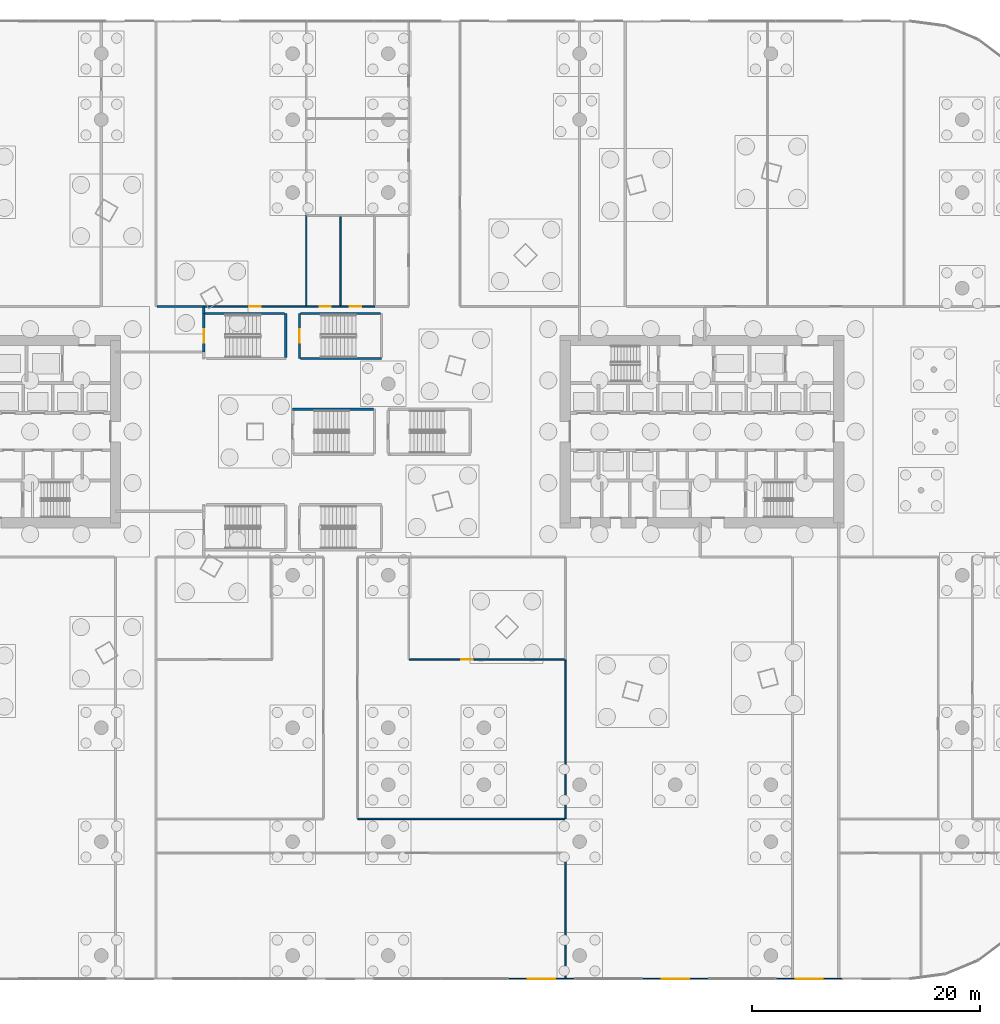
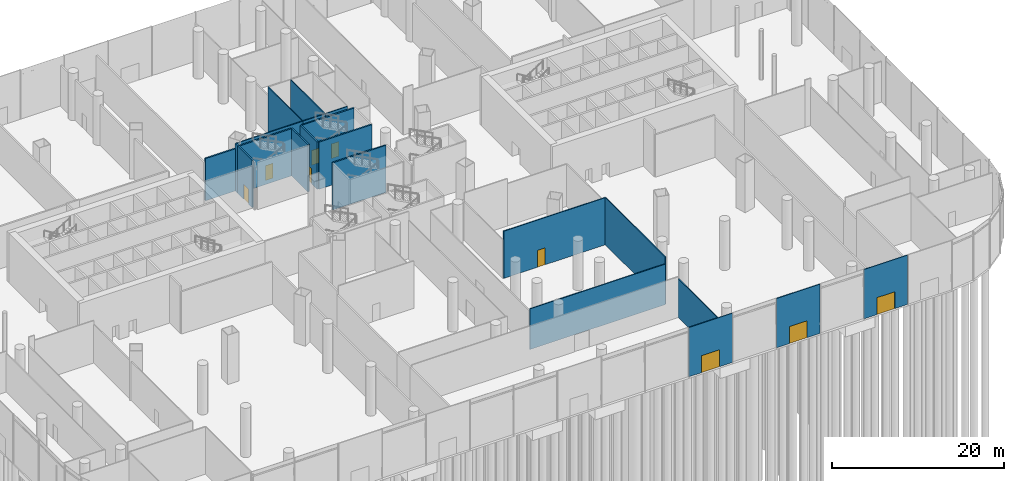
# One storey, part 29 of 41: 21 walls, 9 doors, 9 openings.
"""IFC4 building model written with IfcOpenShell, lengths in metres."""

from ifc_helpers import new_model, si_unit, direction, frame, frame_2d, origin, place, context, subcontext, project, spatial, rectangle, extrude, material, layer, layer_set, type_object, element, fill, save


model = new_model("IFC4")

# Units and contexts
model_context = context("Model", 3, precision=1e-05, world=origin(), true_north=direction((0.0, 1.0)))
body_context = subcontext(model_context, "Body", "Model", "MODEL_VIEW")
ifc_project = project(units=[si_unit("LENGTHUNIT", "METRE"), si_unit("AREAUNIT", "SQUARE_METRE"), si_unit("VOLUMEUNIT", "CUBIC_METRE"), si_unit("PLANEANGLEUNIT", "RADIAN"), si_unit("MASSUNIT", "GRAM", prefix="KILO")], contexts=[model_context])

# Site, building, storey
site_placement = place(None, origin())
site = spatial("IfcSite", under=ifc_project, at=site_placement, CompositionType="ELEMENT")
building_placement = place(site_placement, origin())
building = spatial("IfcBuilding", under=site, at=building_placement, Name="Rimbun Link Towers", CompositionType="ELEMENT")
storey_placement = place(building_placement, origin())
storey = spatial("IfcBuildingStorey", under=building, at=storey_placement, Name="L00", CompositionType="ELEMENT", Elevation=0.0)

# Wall, opening, door
ifc_material_1 = material(Name="Aluminium framed insulated infill panel", Category="aluminium")
ifc_layer_1 = layer(ifc_material_1, 0.10009765625)
ifc_layer_set_1 = layer_set([ifc_layer_1], Name="ED framed infill wall 100")
wall_type_1 = type_object("IfcWallType", Name="ED framed infill wall 100", PredefinedType="STANDARD", material=ifc_layer_set_1)
wall_1_placement = place(storey_placement, frame((20.568115234375, -48.050048828125, 0.0), z_axis=(0.0, 0.0, 1.0), x_axis=(-1.0, 0.0, 0.0)))
wall_1 = element("IfcWall", 1, at=wall_1_placement, inside=storey, type_object=wall_type_1, Name="Framed door bay wall", PredefinedType="STANDARD", context=body_context, shape_type="SweptSolid", body=[
    extrude(rectangle(XDim=5.84228515625, YDim=0.10009765625, at=frame_2d((2.921142578125, 0.0))), origin(), (0.0, 0.0, 1.0), 7.0),
])
opening_1_placement = place(wall_1_placement, frame((1.72119140625, 0.0, 0.0)))
opening_1 = element("IfcOpeningElement", 2, at=opening_1_placement, cuts=wall_1, Name="Opening ED19", PredefinedType="OPENING", context=body_context, shape_type="SweptSolid", body=[
    extrude(rectangle(XDim=2.39990234375, YDim=2.39990234375, at=frame_2d((1.199951171875, 1.199951171875))), frame((0.0, 0.06005859375, 0.0), z_axis=(0.0, -1.0, 0.0), x_axis=(1.0, 0.0, 0.0)), (0.0, 0.0, 1.0), 0.1201171875),
])
ifc_material_2 = material(Name="Aluminium framed glazed door, low-iron glass", Category="aluminium")
door_type_1 = type_object("IfcDoorType", Name="ED entrance door double leaf 2400X2400", OperationType="DOUBLE_DOOR_SINGLE_SWING", PredefinedType="DOOR", material=ifc_material_2)
door_1_placement = place(opening_1_placement, origin())
door_1 = element("IfcDoor", 3, at=door_1_placement, inside=storey, type_object=door_type_1, Name="Entrance door", OperationType="SINGLE_SWING_LEFT", OverallHeight=2.39990234375, OverallWidth=2.39990234375, PredefinedType="DOOR", context=body_context, shape_type="SweptSolid", body=[
    extrude(rectangle(XDim=2.39990234375, YDim=2.39990234375, at=frame_2d((1.199951171875, 1.199951171875))), frame((0.0, 0.02490234375, 0.0), z_axis=(0.0, -1.0, 0.0), x_axis=(1.0, 0.0, 0.0)), (0.0, 0.0, 1.0), 0.050048828125),
])
fill(opening_1, door_1)

wall_2_placement = place(storey_placement, frame((32.3330078125, -48.050048828125, 0.0), z_axis=(0.0, 0.0, 1.0), x_axis=(-1.0, 0.0, 0.0)))
wall_2 = element("IfcWall", 4, at=wall_2_placement, inside=storey, type_object=wall_type_1, Name="Framed door bay wall", PredefinedType="STANDARD", context=body_context, shape_type="SweptSolid", body=[
    extrude(rectangle(XDim=5.842529296875, YDim=0.10009765625, at=frame_2d((2.92138671875, 0.0))), origin(), (0.0, 0.0, 1.0), 7.0),
])
opening_2_placement = place(wall_2_placement, frame((1.72119140625, 0.0, 0.0)))
opening_2 = element("IfcOpeningElement", 5, at=opening_2_placement, cuts=wall_2, Name="Opening ED20", PredefinedType="OPENING", context=body_context, shape_type="SweptSolid", body=[
    extrude(rectangle(XDim=2.39990234375, YDim=2.39990234375, at=frame_2d((1.199951171875, 1.199951171875))), frame((0.0, 0.06005859375, 0.0), z_axis=(0.0, -1.0, 0.0), x_axis=(1.0, 0.0, 0.0)), (0.0, 0.0, 1.0), 0.1201171875),
])
door_2_placement = place(opening_2_placement, origin())
door_2 = element("IfcDoor", 6, at=door_2_placement, inside=storey, type_object=door_type_1, Name="Entrance door", OperationType="SINGLE_SWING_LEFT", OverallHeight=2.39990234375, OverallWidth=2.39990234375, PredefinedType="DOOR", context=body_context, shape_type="SweptSolid", body=[
    extrude(rectangle(XDim=2.39990234375, YDim=2.39990234375, at=frame_2d((1.199951171875, 1.199951171875))), frame((0.0, 0.02490234375, 0.0), z_axis=(0.0, -1.0, 0.0), x_axis=(1.0, 0.0, 0.0)), (0.0, 0.0, 1.0), 0.050048828125),
])
fill(opening_2, door_2)

wall_3_placement = place(storey_placement, frame((44.09765625, -48.050048828125, 0.0), z_axis=(0.0, 0.0, 1.0), x_axis=(-1.0, 0.0, 0.0)))
wall_3 = element("IfcWall", 7, at=wall_3_placement, inside=storey, type_object=wall_type_1, Name="Framed door bay wall", PredefinedType="STANDARD", context=body_context, shape_type="SweptSolid", body=[
    extrude(rectangle(XDim=5.84228515625, YDim=0.10009765625, at=frame_2d((2.921142578125, 0.0))), origin(), (0.0, 0.0, 1.0), 7.0),
])
opening_3_placement = place(wall_3_placement, frame((1.72119140625, 0.0, 0.0)))
opening_3 = element("IfcOpeningElement", 8, at=opening_3_placement, cuts=wall_3, Name="Opening ED21", PredefinedType="OPENING", context=body_context, shape_type="SweptSolid", body=[
    extrude(rectangle(XDim=2.39990234375, YDim=2.39990234375, at=frame_2d((1.199951171875, 1.199951171875))), frame((0.0, 0.06005859375, 0.0), z_axis=(0.0, -1.0, 0.0), x_axis=(1.0, 0.0, 0.0)), (0.0, 0.0, 1.0), 0.1201171875),
])
door_3_placement = place(opening_3_placement, origin())
door_3 = element("IfcDoor", 9, at=door_3_placement, inside=storey, type_object=door_type_1, Name="Entrance door", OperationType="SINGLE_SWING_LEFT", OverallHeight=2.39990234375, OverallWidth=2.39990234375, PredefinedType="DOOR", context=body_context, shape_type="SweptSolid", body=[
    extrude(rectangle(XDim=2.39990234375, YDim=2.39990234375, at=frame_2d((1.199951171875, 1.199951171875))), frame((0.0, 0.02490234375, 0.0), z_axis=(0.0, -1.0, 0.0), x_axis=(1.0, 0.0, 0.0)), (0.0, 0.0, 1.0), 0.050048828125),
])
fill(opening_3, door_3)

# Walls
ifc_material_3 = material(Name="Concrete blockwork", Category="masonry")
ifc_layer_2 = layer(ifc_material_3, 0.199951171875)
ifc_layer_set_2 = layer_set([ifc_layer_2], Name="Fire partition 200 blockwork")
wall_type_2 = type_object("IfcWallType", Name="Fire partition 200 blockwork", PredefinedType="PARTITIONING", material=ifc_layer_set_2)
wall_4_placement = place(storey_placement, frame((-12.0, 10.375, 0.0), z_axis=(0.0, 0.0, 1.0), x_axis=(0.0, 1.0, 0.0)))
element("IfcWall", 10, at=wall_4_placement, inside=storey, type_object=wall_type_2, Name="PD/PW/L00/039", PredefinedType="PARTITIONING", context=body_context, shape_type="SweptSolid", body=[
    extrude(rectangle(XDim=0.5625, YDim=0.199951171875, at=frame_2d((0.28125, 0.0))), origin(), (0.0, 0.0, 1.0), 6.699951171875),
])
wall_5_placement = place(storey_placement, frame((-11.97998046875, 11.0, 0.0), z_axis=(0.0, 0.0, 1.0), x_axis=(-1.0, 0.0, 0.0)))
element("IfcWall", 11, at=wall_5_placement, inside=storey, type_object=wall_type_2, Name="PD/PW/L00/044", PredefinedType="PARTITIONING", context=body_context, shape_type="SweptSolid", body=[
    extrude(rectangle(XDim=4.1201171875, YDim=0.199951171875, at=frame_2d((2.06005859375, 0.0))), origin(), (0.0, 0.0, 1.0), 5.99609375),
])
ifc_material_4 = material(Name="Gypsum board on steel studs", Category="steel")
ifc_layer_3 = layer(ifc_material_4, 0.125)
ifc_layer_set_3 = layer_set([ifc_layer_3], Name="Partition 125 board on studs")
wall_type_3 = type_object("IfcWallType", Name="Partition 125 board on studs", PredefinedType="PARTITIONING", material=ifc_layer_set_3)
wall_6_placement = place(storey_placement, frame((19.75, -20.0, 0.0), z_axis=(0.0, 0.0, 1.0), x_axis=(0.0, -1.0, 0.0)))
element("IfcWall", 12, at=wall_6_placement, inside=storey, type_object=wall_type_3, Name="PD/PW/L00/069", PredefinedType="PARTITIONING", context=body_context, shape_type="SweptSolid", body=[
    extrude(rectangle(XDim=14.0, YDim=0.125, at=frame_2d((7.0, 0.0))), origin(), (0.0, 0.0, 1.0), 6.699951171875),
])
wall_7_placement = place(storey_placement, frame((19.75, -37.0, 0.0), z_axis=(0.0, 0.0, 1.0), x_axis=(0.0, -1.0, 0.0)))
element("IfcWall", 13, at=wall_7_placement, inside=storey, type_object=wall_type_3, Name="PD/PW/L00/070", PredefinedType="PARTITIONING", context=body_context, shape_type="SweptSolid", body=[
    extrude(rectangle(XDim=11.080078125, YDim=0.125, at=frame_2d((5.5400390625, 0.0))), origin(), (0.0, 0.0, 1.0), 5.47998046875),
])

# Wall, opening, door
wall_8_placement = place(storey_placement, frame((0.0, 11.0, 0.0), z_axis=(0.0, 0.0, 1.0), x_axis=(-1.0, 0.0, 0.0)))
wall_8 = element("IfcWall", 14, at=wall_8_placement, inside=storey, type_object=wall_type_3, Name="PD/PW/L00/078", PredefinedType="PARTITIONING", context=body_context, shape_type="SweptSolid", body=[
    extrude(rectangle(XDim=3.0, YDim=0.125, at=frame_2d((1.5, 0.0))), origin(), (0.0, 0.0, 1.0), 6.699951171875),
])
opening_4_placement = place(wall_8_placement, frame((0.8349609375, 0.0, 0.0)))
opening_4 = element("IfcOpeningElement", 15, at=opening_4_placement, cuts=wall_8, Name="Opening PD D00.14", PredefinedType="OPENING", context=body_context, shape_type="SweptSolid", body=[
    extrude(rectangle(XDim=1.0, YDim=2.10009765625, at=frame_2d((0.5, 1.050048828125))), frame((0.0, 0.072509765625, 0.0), z_axis=(0.0, -1.0, 0.0), x_axis=(1.0, 0.0, 0.0)), (0.0, 0.0, 1.0), 0.14501953125),
])
ifc_material_5 = material(Name="Timber door set", Category="wood")
door_type_2 = type_object("IfcDoorType", Name="Door single leaf 1000 x 2100", OperationType="NOTDEFINED", PredefinedType="DOOR", material=ifc_material_5)
door_4_placement = place(opening_4_placement, origin())
door_4 = element("IfcDoor", 16, at=door_4_placement, inside=storey, type_object=door_type_2, Name="PD/DR/L00/014", OperationType="SINGLE_SWING_LEFT", OverallHeight=2.10009765625, OverallWidth=1.0, PredefinedType="DOOR", context=body_context, shape_type="SweptSolid", body=[
    extrude(rectangle(XDim=1.0, YDim=2.10009765625, at=frame_2d((0.5, 1.050048828125))), frame((0.0, 0.02490234375, 0.0), z_axis=(0.0, -1.0, 0.0), x_axis=(1.0, 0.0, 0.0)), (0.0, 0.0, 1.0), 0.050048828125),
])
fill(opening_4, door_4)

wall_9_placement = place(storey_placement, frame((3.0, 11.0, 0.0), z_axis=(0.0, 0.0, 1.0), x_axis=(-1.0, 0.0, 0.0)))
wall_9 = element("IfcWall", 17, at=wall_9_placement, inside=storey, type_object=wall_type_3, Name="PD/PW/L00/079", PredefinedType="PARTITIONING", context=body_context, shape_type="SweptSolid", body=[
    extrude(rectangle(XDim=3.0, YDim=0.125, at=frame_2d((1.5, 0.0))), origin(), (0.0, 0.0, 1.0), 6.699951171875),
])
opening_5_placement = place(wall_9_placement, frame((1.1650390625, 0.0, 0.0)))
opening_5 = element("IfcOpeningElement", 18, at=opening_5_placement, cuts=wall_9, Name="Opening PD D00.15", PredefinedType="OPENING", context=body_context, shape_type="SweptSolid", body=[
    extrude(rectangle(XDim=1.0, YDim=2.10009765625, at=frame_2d((0.5, 1.050048828125))), frame((0.0, 0.072509765625, 0.0), z_axis=(0.0, -1.0, 0.0), x_axis=(1.0, 0.0, 0.0)), (0.0, 0.0, 1.0), 0.14501953125),
])
door_5_placement = place(opening_5_placement, origin())
door_5 = element("IfcDoor", 19, at=door_5_placement, inside=storey, type_object=door_type_2, Name="PD/DR/L00/015", OperationType="SINGLE_SWING_RIGHT", OverallHeight=2.10009765625, OverallWidth=1.0, PredefinedType="DOOR", context=body_context, shape_type="SweptSolid", body=[
    extrude(rectangle(XDim=1.0, YDim=2.10009765625, at=frame_2d((0.5, 1.050048828125))), frame((0.0, 0.02490234375, 0.0), z_axis=(0.0, -1.0, 0.0), x_axis=(1.0, 0.0, 0.0)), (0.0, 0.0, 1.0), 0.050048828125),
])
fill(opening_5, door_5)

wall_10_placement = place(storey_placement, frame((-3.0, 11.0, 0.0), z_axis=(0.0, 0.0, 1.0), x_axis=(-1.0, 0.0, 0.0)))
wall_10 = element("IfcWall", 20, at=wall_10_placement, inside=storey, type_object=wall_type_3, Name="PD/PW/L00/081", PredefinedType="PARTITIONING", context=body_context, shape_type="SweptSolid", body=[
    extrude(rectangle(XDim=9.02001953125, YDim=0.125, at=frame_2d((4.510009765625, 0.0))), origin(), (0.0, 0.0, 1.0), 6.699951171875),
])
opening_6_placement = place(wall_10_placement, frame((4.010009765625, 0.0, 0.0)))
opening_6 = element("IfcOpeningElement", 21, at=opening_6_placement, cuts=wall_10, Name="Opening PD D00.22", PredefinedType="OPENING", context=body_context, shape_type="SweptSolid", body=[
    extrude(rectangle(XDim=1.0, YDim=2.10009765625, at=frame_2d((0.5, 1.050048828125))), frame((0.0, 0.072509765625, 0.0), z_axis=(0.0, -1.0, 0.0), x_axis=(1.0, 0.0, 0.0)), (0.0, 0.0, 1.0), 0.14501953125),
])
door_6_placement = place(opening_6_placement, origin())
door_6 = element("IfcDoor", 22, at=door_6_placement, inside=storey, type_object=door_type_2, Name="PD/DR/L00/022", OperationType="SINGLE_SWING_LEFT", OverallHeight=2.10009765625, OverallWidth=1.0, PredefinedType="DOOR", context=body_context, shape_type="SweptSolid", body=[
    extrude(rectangle(XDim=1.0, YDim=2.10009765625, at=frame_2d((0.5, 1.050048828125))), frame((0.0, 0.02490234375, 0.0), z_axis=(0.0, -1.0, 0.0), x_axis=(1.0, 0.0, 0.0)), (0.0, 0.0, 1.0), 0.050048828125),
])
fill(opening_6, door_6)

# Wall
wall_11_placement = place(storey_placement, frame((19.6875, -34.0, 0.0), z_axis=(0.0, 0.0, 1.0), x_axis=(-1.0, 0.0, 0.0)))
element("IfcWall", 23, at=wall_11_placement, inside=storey, type_object=wall_type_3, Name="PD/PW/L00/091", PredefinedType="PARTITIONING", context=body_context, shape_type="SweptSolid", body=[
    extrude(rectangle(XDim=18.1875, YDim=0.125, at=frame_2d((9.09375, 0.0))), origin(), (0.0, 0.0, 1.0), 5.761962890625),
])

# Wall, opening, door
wall_12_placement = place(storey_placement, frame((6.0625, -20.0, 0.0), z_axis=(0.0, 0.0, 1.0), x_axis=(1.0, 0.0, 0.0)))
wall_12 = element("IfcWall", 24, at=wall_12_placement, inside=storey, type_object=wall_type_3, Name="PD/PW/L00/106", PredefinedType="PARTITIONING", context=body_context, shape_type="SweptSolid", body=[
    extrude(rectangle(XDim=13.625, YDim=0.125, at=frame_2d((6.8125, 0.0))), origin(), (0.0, 0.0, 1.0), 6.699951171875),
])
opening_7_placement = place(wall_12_placement, frame((4.553955078125, 0.0, 0.0)))
opening_7 = element("IfcOpeningElement", 25, at=opening_7_placement, cuts=wall_12, Name="Opening PD D00.02", PredefinedType="OPENING", context=body_context, shape_type="SweptSolid", body=[
    extrude(rectangle(XDim=1.0, YDim=2.39990234375, at=frame_2d((0.5, 1.199951171875))), frame((0.0, 0.072509765625, 0.0), z_axis=(0.0, -1.0, 0.0), x_axis=(1.0, 0.0, 0.0)), (0.0, 0.0, 1.0), 0.14501953125),
])
ifc_material_6 = material(Name="Timber door set", Category="wood")
door_type_3 = type_object("IfcDoorType", Name="Hall door single leaf 1000 x 2400", OperationType="NOTDEFINED", PredefinedType="DOOR", material=ifc_material_6)
door_7_placement = place(opening_7_placement, origin())
door_7 = element("IfcDoor", 26, at=door_7_placement, inside=storey, type_object=door_type_3, Name="PD/DR/L00/002", OperationType="SINGLE_SWING_LEFT", OverallHeight=2.39990234375, OverallWidth=1.0, PredefinedType="DOOR", context=body_context, shape_type="SweptSolid", body=[
    extrude(rectangle(XDim=1.0, YDim=2.39990234375, at=frame_2d((0.5, 1.199951171875))), frame((0.0, 0.02490234375, 0.0), z_axis=(0.0, -1.0, 0.0), x_axis=(1.0, 0.0, 0.0)), (0.0, 0.0, 1.0), 0.050048828125),
])
fill(opening_7, door_7)

# Walls
wall_13_placement = place(storey_placement, frame((0.0, 11.0625, 0.0), z_axis=(0.0, 0.0, 1.0), x_axis=(0.0, 1.0, 0.0)))
element("IfcWall", 27, at=wall_13_placement, inside=storey, type_object=wall_type_3, Name="PD/PW/L00/113", PredefinedType="PARTITIONING", context=body_context, shape_type="SweptSolid", body=[
    extrude(rectangle(XDim=7.875, YDim=0.125, at=frame_2d((3.9375, 0.0))), origin(), (0.0, 0.0, 1.0), 6.699951171875),
])
wall_14_placement = place(storey_placement, frame((-3.0, 19.02001953125, 0.0), z_axis=(0.0, 0.0, 1.0), x_axis=(0.0, -1.0, 0.0)))
element("IfcWall", 28, at=wall_14_placement, inside=storey, type_object=wall_type_3, Name="PD/PW/L00/115", PredefinedType="PARTITIONING", context=body_context, shape_type="SweptSolid", body=[
    extrude(rectangle(XDim=7.95751953125, YDim=0.125, at=frame_2d((3.978759765625, 0.0))), origin(), (0.0, 0.0, 1.0), 6.699951171875),
])

# Wall, opening, door
ifc_material_7 = material(Name="Concrete C40/50", Category="concrete")
ifc_layer_4 = layer(ifc_material_7, 0.199951171875)
ifc_layer_set_4 = layer_set([ifc_layer_4], Name="Stair shaft wall 200")
wall_type_4 = type_object("IfcWallType", Name="Stair shaft wall 200", PredefinedType="SOLIDWALL", material=ifc_layer_set_4)
wall_15_placement = place(storey_placement, frame((-12.0, 10.39501953125, 0.0), z_axis=(0.0, 0.0, 1.0), x_axis=(0.0, -1.0, 0.0)))
wall_15 = element("IfcWall", 29, at=wall_15_placement, inside=storey, type_object=wall_type_4, Name="PD/PW/L00/010", PredefinedType="SOLIDWALL", context=body_context, shape_type="SweptSolid", body=[
    extrude(rectangle(XDim=3.39501953125, YDim=0.199951171875, at=frame_2d((1.697509765625, 0.0))), origin(), (0.0, 0.0, 1.0), 6.699951171875),
])
opening_8_placement = place(wall_15_placement, frame((1.39501953125, 0.0, 0.0)))
opening_8 = element("IfcOpeningElement", 30, at=opening_8_placement, cuts=wall_15, Name="Opening PD DS3", PredefinedType="OPENING", context=body_context, shape_type="SweptSolid", body=[
    extrude(rectangle(XDim=1.199951171875, YDim=2.10009765625, at=frame_2d((0.60009765625, 1.050048828125))), frame((0.0, 0.10986328125, 0.0), z_axis=(0.0, -1.0, 0.0), x_axis=(1.0, 0.0, 0.0)), (0.0, 0.0, 1.0), 0.219970703125),
])
ifc_material_8 = material(Name="Steel fire door set", Category="steel")
door_type_4 = type_object("IfcDoorType", Name="Stair door", OperationType="SINGLE_SWING_LEFT", PredefinedType="DOOR", material=ifc_material_8)
door_8_placement = place(opening_8_placement, frame((1.199951171875, 0.0, 0.0), z_axis=(0.0, 0.0, 1.0), x_axis=(-1.0, 0.0, 0.0)))
door_8 = element("IfcDoor", 31, at=door_8_placement, inside=storey, type_object=door_type_4, Name="PD/DR/L00/S3", OperationType="SINGLE_SWING_LEFT", OverallHeight=2.10009765625, OverallWidth=1.199951171875, PredefinedType="DOOR", context=body_context, shape_type="SweptSolid", body=[
    extrude(rectangle(XDim=1.199951171875, YDim=2.10009765625, at=frame_2d((0.60009765625, 1.050048828125))), frame((0.0, 0.02490234375, 0.0), z_axis=(0.0, -1.0, 0.0), x_axis=(1.0, 0.0, 0.0)), (0.0, 0.0, 1.0), 0.050048828125),
])
fill(opening_8, door_8)

# Walls
wall_16_placement = place(storey_placement, frame((-4.800048828125, 6.52490234375, 0.0), z_axis=(0.0, 0.0, 1.0), x_axis=(0.0, 1.0, 0.0)))
element("IfcWall", 32, at=wall_16_placement, inside=storey, type_object=wall_type_4, Name="PD/PW/L00/013", PredefinedType="SOLIDWALL", context=body_context, shape_type="SweptSolid", body=[
    extrude(rectangle(XDim=3.85009765625, YDim=0.199951171875, at=frame_2d((1.925048828125, 0.0))), origin(), (0.0, 0.0, 1.0), 6.699951171875),
])
wall_17_placement = place(storey_placement, frame((-4.89990234375, 10.375, 0.0), z_axis=(0.0, 0.0, 1.0), x_axis=(-1.0, 0.0, 0.0)))
element("IfcWall", 33, at=wall_17_placement, inside=storey, type_object=wall_type_4, Name="PD/PW/L00/014", PredefinedType="SOLIDWALL", context=body_context, shape_type="SweptSolid", body=[
    extrude(rectangle(XDim=7.0, YDim=0.199951171875, at=frame_2d((3.5, 0.0))), origin(), (0.0, 0.0, 1.0), 6.699951171875),
])

# Wall, opening, door
wall_18_placement = place(storey_placement, frame((-3.60009765625, 10.375, 0.0), z_axis=(0.0, 0.0, 1.0), x_axis=(0.0, -1.0, 0.0)))
wall_18 = element("IfcWall", 34, at=wall_18_placement, inside=storey, type_object=wall_type_4, Name="PD/PW/L00/015", PredefinedType="SOLIDWALL", context=body_context, shape_type="SweptSolid", body=[
    extrude(rectangle(XDim=3.949951171875, YDim=0.199951171875, at=frame_2d((1.97509765625, 0.0))), origin(), (0.0, 0.0, 1.0), 6.699951171875),
])
opening_9_placement = place(wall_18_placement, frame((1.375, 0.0, 0.0)))
opening_9 = element("IfcOpeningElement", 35, at=opening_9_placement, cuts=wall_18, Name="Opening PD DS4", PredefinedType="OPENING", context=body_context, shape_type="SweptSolid", body=[
    extrude(rectangle(XDim=1.199951171875, YDim=2.10009765625, at=frame_2d((0.60009765625, 1.050048828125))), frame((0.0, 0.10986328125, 0.0), z_axis=(0.0, -1.0, 0.0), x_axis=(1.0, 0.0, 0.0)), (0.0, 0.0, 1.0), 0.219970703125),
])
door_9_placement = place(opening_9_placement, frame((1.199951171875, 0.0, 0.0), z_axis=(0.0, 0.0, 1.0), x_axis=(-1.0, 0.0, 0.0)))
door_9 = element("IfcDoor", 36, at=door_9_placement, inside=storey, type_object=door_type_4, Name="PD/DR/L00/S4", OperationType="SINGLE_SWING_LEFT", OverallHeight=2.10009765625, OverallWidth=1.199951171875, PredefinedType="DOOR", context=body_context, shape_type="SweptSolid", body=[
    extrude(rectangle(XDim=1.199951171875, YDim=2.10009765625, at=frame_2d((0.60009765625, 1.050048828125))), frame((0.0, 0.02490234375, 0.0), z_axis=(0.0, -1.0, 0.0), x_axis=(1.0, 0.0, 0.0)), (0.0, 0.0, 1.0), 0.050048828125),
])
fill(opening_9, door_9)

# Walls
wall_19_placement = place(storey_placement, frame((-3.5, 6.425048828125, 0.0), z_axis=(0.0, 0.0, 1.0), x_axis=(1.0, 0.0, 0.0)))
element("IfcWall", 37, at=wall_19_placement, inside=storey, type_object=wall_type_4, Name="PD/PW/L00/016", PredefinedType="SOLIDWALL", context=body_context, shape_type="SweptSolid", body=[
    extrude(rectangle(XDim=7.10009765625, YDim=0.199951171875, at=frame_2d((3.550048828125, 0.0))), origin(), (0.0, 0.0, 1.0), 6.699951171875),
])
wall_20_placement = place(storey_placement, frame((3.5, 10.375, 0.0), z_axis=(0.0, 0.0, 1.0), x_axis=(-1.0, 0.0, 0.0)))
element("IfcWall", 38, at=wall_20_placement, inside=storey, type_object=wall_type_4, Name="PD/PW/L00/018", PredefinedType="SOLIDWALL", context=body_context, shape_type="SweptSolid", body=[
    extrude(rectangle(XDim=7.0, YDim=0.199951171875, at=frame_2d((3.5, 0.0))), origin(), (0.0, 0.0, 1.0), 6.699951171875),
])
wall_21_placement = place(storey_placement, frame((2.89990234375, 1.97509765625, 0.0), z_axis=(0.0, 0.0, 1.0), x_axis=(-1.0, 0.0, 0.0)))
element("IfcWall", 39, at=wall_21_placement, inside=storey, type_object=wall_type_4, Name="PD/PW/L00/024", PredefinedType="SOLIDWALL", context=body_context, shape_type="SweptSolid", body=[
    extrude(rectangle(XDim=7.099853515625, YDim=0.199951171875, at=frame_2d((3.5498046875, 0.0))), origin(), (0.0, 0.0, 1.0), 6.699951171875),
])

save(model, "model.ifc")
